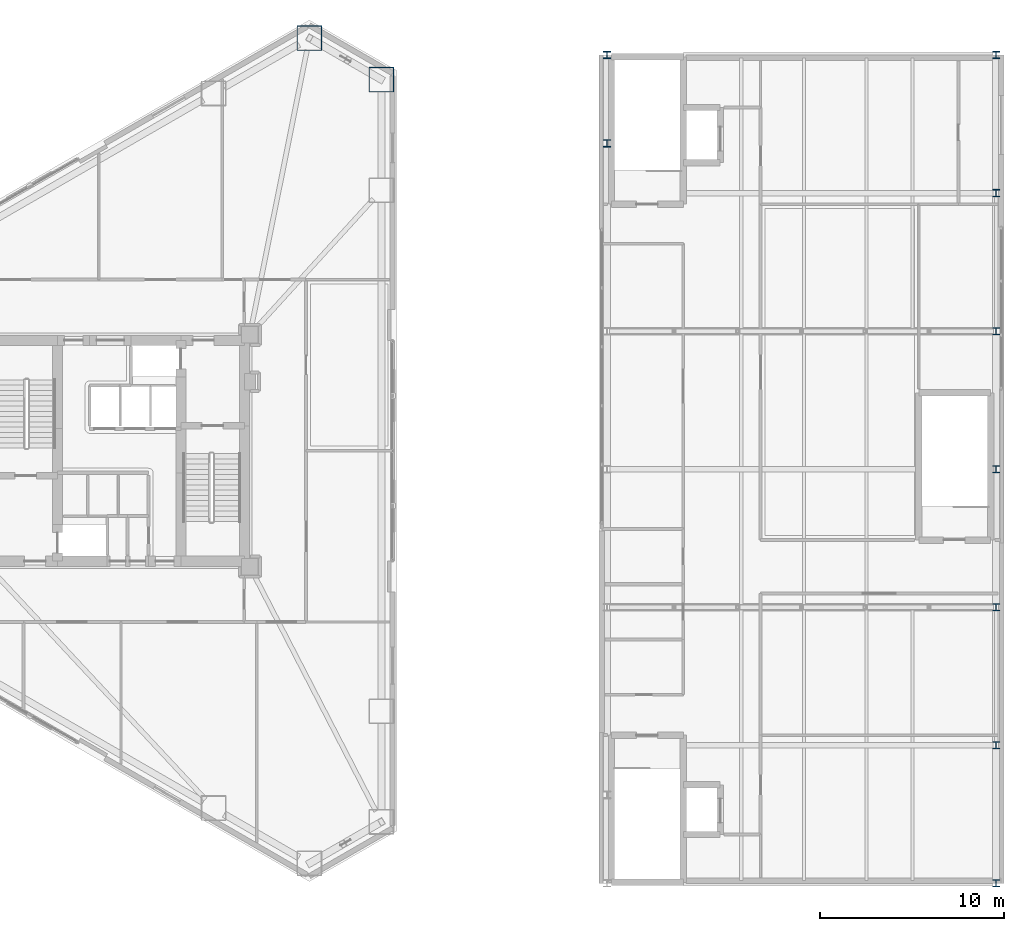
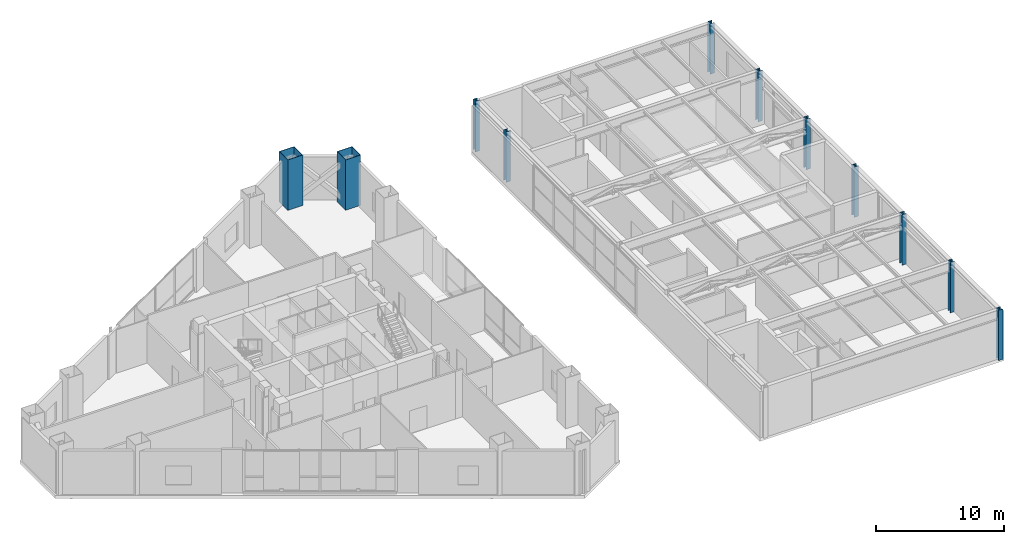
# One storey, part 2 of 27: 11 columns.
"""IFC4 building model written with IfcOpenShell, lengths in metres."""

import ifcopenshell
import ifcopenshell.guid

model = None  # the IFC model being written
_history = None  # IfcOwnerHistory: only IFC2X3 demands one
_inside = {}  # id of a spatial element -> (the spatial element, [elements in it])
_under = {}  # id of a project, library or spatial element -> (it, [spatial elements below it])
_declared = {}  # id of a project -> (the project, [libraries it declares])
_typed = {}  # id of a type object -> (the type object, [elements of that type])
_made_of = {}  # id of a material, layer set ... -> (it, [elements and type objects made of it])


def new_model(schema):
    """Start an empty IFC model of exactly this schema.

    Asked for "IFC4X3", IfcOpenShell would pick the latest addendum, in which some entities
    have other attributes; the version numbers below select the first issue.
    IFC2X3 requires an IfcOwnerHistory on every rooted entity: one is made here for all.
    """
    global model, _history
    if schema == "IFC4X3":
        model = ifcopenshell.file(schema_version=(4, 3, 0, 0))
    else:
        model = ifcopenshell.file(schema=schema)
    _inside.clear()
    _under.clear()
    _declared.clear()
    _typed.clear()
    _made_of.clear()
    _history = None
    if model.schema == "IFC2X3":
        org = make("IfcOrganization", Name="unknown")
        user = make(
            "IfcPersonAndOrganization",
            ThePerson=make("IfcPerson", FamilyName="unknown"),
            TheOrganization=org,
        )
        app = make(
            "IfcApplication",
            ApplicationDeveloper=org,
            Version="unknown",
            ApplicationFullName="unknown",
            ApplicationIdentifier="unknown",
        )
        _history = make(
            "IfcOwnerHistory",
            OwningUser=user,
            OwningApplication=app,
            ChangeAction="ADDED",
            CreationDate=0,
        )
    return model


def make(cls, **values):
    """One entity of the class cls with the attributes given. An attribute that is None is left unset."""
    return model.create_entity(
        cls, **{name: value for name, value in values.items() if value is not None}
    )


def rooted(cls, **values):
    """An entity with a GlobalId (a new one), such as an element, a storey or a relation."""
    return make(cls, GlobalId=ifcopenshell.guid.new(), OwnerHistory=_history, **values)


def si_unit(unit_type, name, prefix=None):
    """IfcSIUnit, for example si_unit("LENGTHUNIT", "METRE", prefix="MILLI")."""
    return make("IfcSIUnit", UnitType=unit_type, Prefix=prefix, Name=name)


def assignment(units):
    """IfcUnitAssignment: the units of a project."""
    return None if units is None else make("IfcUnitAssignment", Units=units)


def point(xyz):
    """IfcCartesianPoint."""
    return None if xyz is None else make("IfcCartesianPoint", Coordinates=xyz)


def direction(xyz):
    """IfcDirection."""
    return None if xyz is None else make("IfcDirection", DirectionRatios=xyz)


def frame(location, z_axis=None, x_axis=None):
    """IfcAxis2Placement3D, a coordinate frame: its origin and axes. An axis left out is left unset."""
    return make(
        "IfcAxis2Placement3D",
        Location=point(location),
        Axis=direction(z_axis),
        RefDirection=direction(x_axis),
    )


def frame_2d(location, x_axis=None):
    """IfcAxis2Placement2D, a coordinate frame in the plane: its origin and x axis."""
    return make(
        "IfcAxis2Placement2D", Location=point(location), RefDirection=direction(x_axis)
    )


def origin():
    """The frame at (0, 0, 0) with its axes left unset."""
    return frame((0.0, 0.0, 0.0))


def origin_2d():
    """The frame at (0, 0) in the plane with its x axis left unset."""
    return frame_2d((0.0, 0.0))


def place(relative_to, where):
    """IfcLocalPlacement: puts the frame where relative to a parent placement (None: the world)."""
    return make(
        "IfcLocalPlacement", PlacementRelTo=relative_to, RelativePlacement=where
    )


def context(
    kind, dimensions, precision=None, world=None, true_north=None, identifier=None
):
    """IfcGeometricRepresentationContext, for example the 3D "Model" context."""
    return make(
        "IfcGeometricRepresentationContext",
        ContextIdentifier=identifier,
        ContextType=kind,
        CoordinateSpaceDimension=dimensions,
        Precision=precision,
        WorldCoordinateSystem=world,
        TrueNorth=true_north,
    )


def subcontext(parent, identifier, kind, view, scale=None):
    """IfcGeometricRepresentationSubContext, for example "Body" below "Model"."""
    return make(
        "IfcGeometricRepresentationSubContext",
        ContextIdentifier=identifier,
        ContextType=kind,
        ParentContext=parent,
        TargetScale=scale,
        TargetView=view,
    )


def project(units=None, contexts=None):
    """IfcProject with its units and contexts."""
    return rooted(
        "IfcProject",
        Name="project",
        RepresentationContexts=contexts,
        UnitsInContext=assignment(units),
    )


def spatial(cls, under=None, at=None, **own):
    """A site, building, storey or space (cls), placed at a placement, below another one or the project."""
    s = rooted(cls, ObjectPlacement=at, **own)
    if under is not None:
        _under.setdefault(under.id(), (under, []))[1].append(s)
    return s


def profile(cls, at=None, kind="AREA", **sizes):
    """A parametric profile (cls). Its sizes go by their IFC names, for example OverallWidth=200.0."""
    return make(cls, ProfileType=kind, Position=at, **sizes)


def hollow_rectangle(**sizes):
    """IfcRectangleHollowProfileDef."""
    return profile("IfcRectangleHollowProfileDef", **sizes)


def i_section(**sizes):
    """IfcIShapeProfileDef."""
    return profile("IfcIShapeProfileDef", **sizes)


def extrude(swept, where, along, depth):
    """IfcExtrudedAreaSolid: the profile swept, set in the frame where, extruded along a direction by depth."""
    return make(
        "IfcExtrudedAreaSolid",
        SweptArea=swept,
        Position=where,
        ExtrudedDirection=direction(along),
        Depth=depth,
    )


def shape(context_of_items, identifier, shape_type, items):
    """IfcShapeRepresentation: the items that make up one representation, for example the "Body"."""
    return make(
        "IfcShapeRepresentation",
        ContextOfItems=context_of_items,
        RepresentationIdentifier=identifier,
        RepresentationType=shape_type,
        Items=items,
    )


def material(Name=None, Category=None):
    """IfcMaterial."""
    return make("IfcMaterial", Name=Name, Category=Category)


def material_profile(
    of_material, cross_section, Name=None, Category=None, Priority=None
):
    """IfcMaterialProfile: a cross section and its material."""
    return make(
        "IfcMaterialProfile",
        Name=Name,
        Material=of_material,
        Profile=cross_section,
        Priority=Priority,
        Category=Category,
    )


def profile_set(profiles, Name=None, composite=None):
    """IfcMaterialProfileSet."""
    return make(
        "IfcMaterialProfileSet",
        Name=Name,
        MaterialProfiles=profiles,
        CompositeProfile=composite,
    )


def made_of(thing, what):
    """Note that an element or type object is made of a material, layer set ...; save() writes the relation."""
    if what is not None:
        _made_of.setdefault(what.id(), (what, []))[1].append(thing)
    return thing


def type_object(cls, material=None, **own):
    """A type object (cls), such as IfcWallType, which elements share."""
    return made_of(rooted(cls, **own), material)


def element(
    cls,
    number,
    at=None,
    inside=None,
    cuts=None,
    type_object=None,
    material=None,
    context=None,
    identifier="Body",
    shape_type=None,
    held_by="IfcProductDefinitionShape",
    body=None,
    shapes=None,
    **own,
):
    """One element of the class cls, such as IfcWall. Its Tag is "e" and its number.

    at: its placement. inside: the storey or other place that contains it. cuts: it is an
    opening in that element (IfcRelVoidsElement). A single representation is given by context,
    identifier, shape_type and body (its items); several are given by shapes. held_by: the class
    of the entity that holds the representations. save() writes the other relations.
    """
    e = rooted(cls, Tag="e%d" % number, ObjectPlacement=at, **own)
    if body is not None:
        shapes = [shape(context, identifier, shape_type, body)]
    if shapes is not None:
        e.Representation = make(held_by, Representations=shapes)
    if inside is not None:
        _inside.setdefault(inside.id(), (inside, []))[1].append(e)
    if cuts is not None:
        rooted(
            "IfcRelVoidsElement", RelatingBuildingElement=cuts, RelatedOpeningElement=e
        )
    if type_object is not None:
        _typed.setdefault(type_object.id(), (type_object, []))[1].append(e)
    return made_of(e, material)


def aggregate(whole, parts):
    """IfcRelAggregates: a whole, such as a stair, and the parts it consists of."""
    return rooted("IfcRelAggregates", RelatingObject=whole, RelatedObjects=parts)


def save(model, path):
    """Write the relations noted so far, then the file.

    IfcRelAggregates (storeys below a building ...), IfcRelContainedInSpatialStructure (elements
    in a storey), IfcRelDefinesByType, IfcRelAssociatesMaterial and IfcRelDeclares: one each for
    every whole, place, type object, material and project.
    """
    for whole, parts in _under.values():
        aggregate(whole, parts)
    for where, things in _inside.values():
        rooted(
            "IfcRelContainedInSpatialStructure",
            RelatedElements=things,
            RelatingStructure=where,
        )
    for kind, things in _typed.values():
        rooted("IfcRelDefinesByType", RelatedObjects=things, RelatingType=kind)
    for what, things in _made_of.values():
        rooted("IfcRelAssociatesMaterial", RelatedObjects=things, RelatingMaterial=what)
    for by, libraries in _declared.values():
        rooted("IfcRelDeclares", RelatingContext=by, RelatedDefinitions=libraries)
    model.write(path)


model = new_model("IFC4")

# Units and contexts
model_context = context("Model", 3, precision=1e-05, world=origin(), true_north=direction((0.0, 1.0)))
body_context = subcontext(model_context, "Body", "Model", "MODEL_VIEW")
ifc_project = project(units=[si_unit("LENGTHUNIT", "METRE"), si_unit("AREAUNIT", "SQUARE_METRE"), si_unit("VOLUMEUNIT", "CUBIC_METRE"), si_unit("PLANEANGLEUNIT", "RADIAN"), si_unit("MASSUNIT", "GRAM", prefix="KILO")], contexts=[model_context])

# Site, building, storey
site_placement = place(None, origin())
site = spatial("IfcSite", under=ifc_project, at=site_placement, CompositionType="ELEMENT")
building_placement = place(site_placement, origin())
building = spatial("IfcBuilding", under=site, at=building_placement, Name="Mersakhor Tower and Convention Hall", CompositionType="ELEMENT")
storey_placement = place(building_placement, frame((0.0, 0.0, 14.39990234375)))
storey = spatial("IfcBuildingStorey", under=building, at=storey_placement, Name="L03", CompositionType="ELEMENT", Elevation=14.39990234375)

# Columns
ifc_material_1 = material(Name="Concrete C70/85 in S460M steel box", Category="concrete")
ifc_material_profile_1 = material_profile(ifc_material_1, hollow_rectangle(XDim=1.35009765625, YDim=1.35009765625, WallThickness=0.035888671875, at=origin_2d()), Name="SHS 1350x1350x36")
ifc_profile_set_1 = profile_set([ifc_material_profile_1], Name="Concrete C70/85 in S460M steel box")
column_type_1 = type_object("IfcColumnType", Name="COL-CFT-1350", PredefinedType="COLUMN", material=ifc_profile_set_1)
for number, where, z_axis, x_axis, name in (
    (1, (39.3369140625, 49.172607421875, 0.0), (0.0, 0.0, 1.0), (1.0, 0.0, 0.0), "L03 Perimeter Mega-Column MC-04"),
    (2, (43.25, 46.913330078125, 0.0), (0.0, 0.0, 1.0), (1.0, 0.0, 0.0), "L03 Perimeter Mega-Column MC-05"),
):
    element("IfcColumn", number, at=place(storey_placement, frame(where, z_axis=z_axis, x_axis=x_axis)), inside=storey, type_object=column_type_1, Name=name, PredefinedType="COLUMN", context=body_context, shape_type="SweptSolid", body=[
        extrude(hollow_rectangle(XDim=1.35009765625, YDim=1.35009765625, WallThickness=0.035888671875, at=origin_2d()), origin(), (0.0, 0.0, 1.0), 4.800048828125),
    ])
ifc_material_2 = material(Name="Steel S355", Category="steel")
ifc_material_profile_2 = material_profile(ifc_material_2, i_section(OverallWidth=0.39892578125, OverallDepth=0.3935546875, WebThickness=0.022705078125, FlangeThickness=0.03662109375, at=origin_2d()), Name="UC 356x406x287")
ifc_profile_set_2 = profile_set([ifc_material_profile_2], Name="Steel S355")
column_type_2 = type_object("IfcColumnType", Name="COL-STL-UC356", PredefinedType="COLUMN", material=ifc_profile_set_2)
for number, where, z_axis, x_axis, name in (
    (3, (55.5, 43.449951171875, 0.0), (0.0, 0.0, 1.0), (1.0, 0.0, 0.0), "Convention L03 Perimeter Column SC-W6"),
    (4, (55.5, 48.25, 0.0), (0.0, 0.0, 1.0), (1.0, 0.0, 0.0), "Convention L03 Perimeter Column SC-W7"),
    (5, (76.64990234375, 3.25, 0.0), (0.0, 0.0, 1.0), (1.0, 0.0, 0.0), "Convention L03 Perimeter Column SC-E1"),
    (6, (76.64990234375, 10.75, 0.0), (0.0, 0.0, 1.0), (1.0, 0.0, 0.0), "Convention L03 Perimeter Column SC-E2"),
    (7, (76.64990234375, 18.25, 0.0), (0.0, 0.0, 1.0), (1.0, 0.0, 0.0), "Convention L03 Perimeter Column SC-E3"),
    (8, (76.64990234375, 25.75, 0.0), (0.0, 0.0, 1.0), (1.0, 0.0, 0.0), "Convention L03 Perimeter Column SC-E4"),
    (9, (76.64990234375, 33.25, 0.0), (0.0, 0.0, 1.0), (1.0, 0.0, 0.0), "Convention L03 Perimeter Column SC-E5"),
    (10, (76.64990234375, 40.75, 0.0), (0.0, 0.0, 1.0), (1.0, 0.0, 0.0), "Convention L03 Perimeter Column SC-E6"),
    (11, (76.64990234375, 48.25, 0.0), (0.0, 0.0, 1.0), (1.0, 0.0, 0.0), "Convention L03 Perimeter Column SC-E7"),
):
    element("IfcColumn", number, at=place(storey_placement, frame(where, z_axis=z_axis, x_axis=x_axis)), inside=storey, type_object=column_type_2, Name=name, PredefinedType="COLUMN", context=body_context, shape_type="SweptSolid", body=[
        extrude(i_section(OverallWidth=0.39892578125, OverallDepth=0.3935546875, WebThickness=0.022705078125, FlangeThickness=0.03662109375, at=origin_2d()), origin(), (0.0, 0.0, 1.0), 4.800048828125),
    ])

save(model, "model.ifc")
